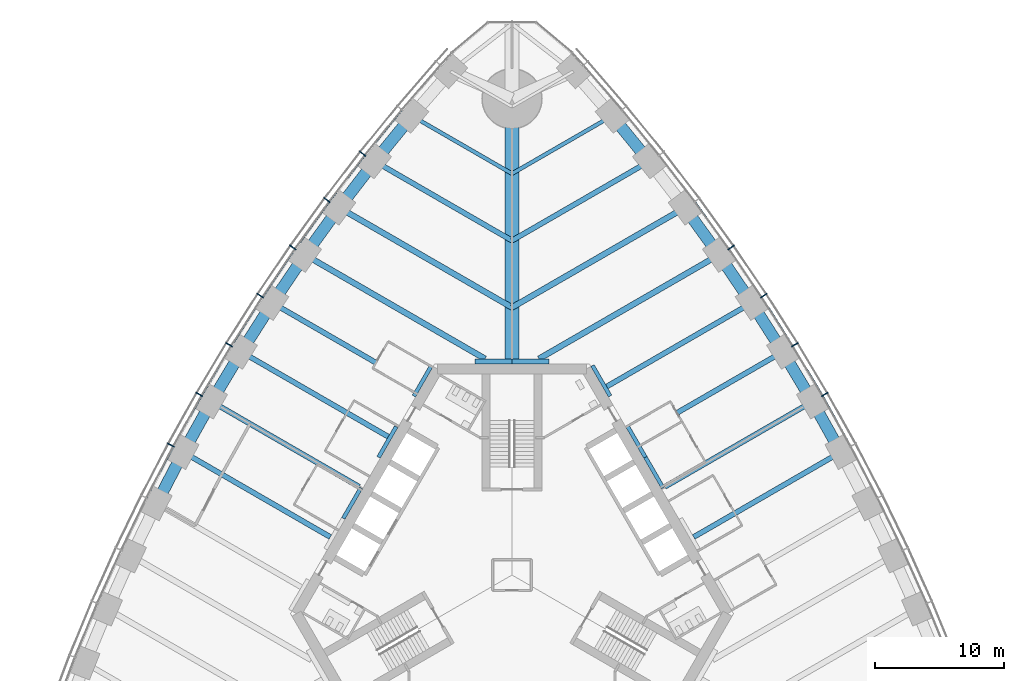
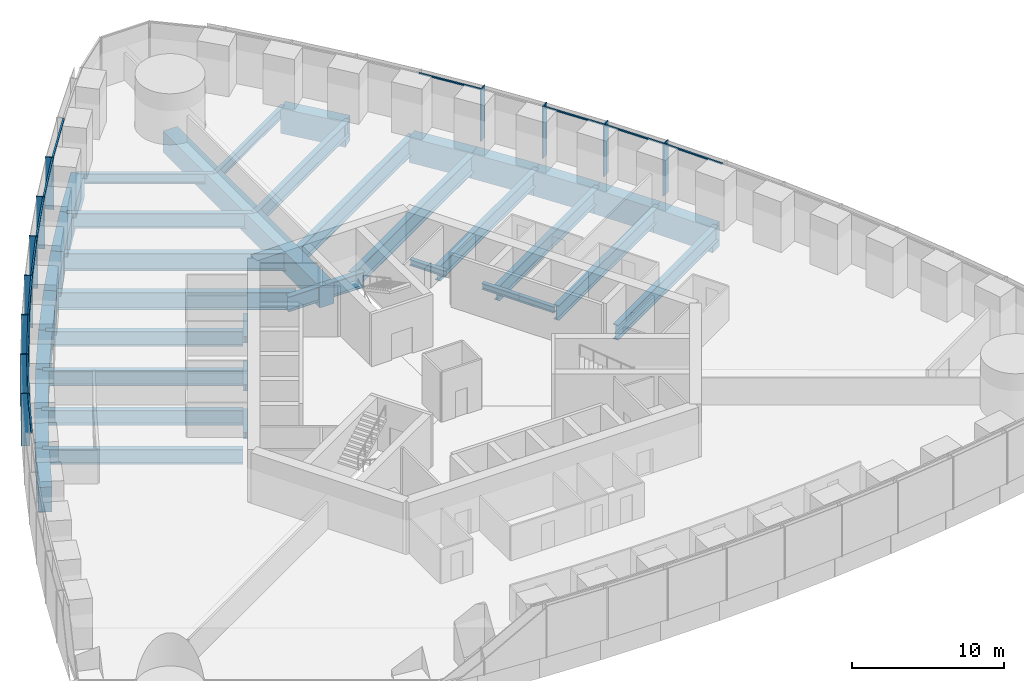
# One storey, part 4 of 18: 39 beams, 23 members, 2 elements without a shape of their own.
"""IFC4 building model written with IfcOpenShell, lengths in metres."""

from ifc_helpers import new_model, si_unit, direction, frame, origin, origin_2d, place, context, subcontext, project, spatial, rectangle, i_section, extrude, material, material_profile, profile_set, type_object, element, aggregate, save


model = new_model("IFC4")

# Units and contexts
model_context = context("Model", 3, precision=1e-05, world=origin(), true_north=direction((0.0, 1.0)))
body_context = subcontext(model_context, "Body", "Model", "MODEL_VIEW")
ifc_project = project(units=[si_unit("LENGTHUNIT", "METRE"), si_unit("AREAUNIT", "SQUARE_METRE"), si_unit("VOLUMEUNIT", "CUBIC_METRE"), si_unit("PLANEANGLEUNIT", "RADIAN"), si_unit("MASSUNIT", "GRAM", prefix="KILO")], contexts=[model_context])

# Site, building, storey
site_placement = place(None, origin())
site = spatial("IfcSite", under=ifc_project, at=site_placement, CompositionType="ELEMENT")
building_placement = place(site_placement, origin())
building = spatial("IfcBuilding", under=site, at=building_placement, Name="Trefoil Bronze Tower", CompositionType="ELEMENT")
storey_placement = place(building_placement, frame((0.0, 0.0, 71.10009765625)))
storey = spatial("IfcBuildingStorey", under=building, at=storey_placement, Name="L16", CompositionType="ELEMENT", Elevation=71.10009765625)

# Curtain wall, members
ifc_material_1 = material(Name="Tinted solar-control glass", Category="glass")
curtain_wall_type = type_object("IfcCurtainWallType", Name="Bronze office curtain wall", PredefinedType="USERDEFINED", material=ifc_material_1)
curtain_wall_1_placement = place(storey_placement, origin())
curtain_wall_1 = element("IfcCurtainWall", 1, at=curtain_wall_1_placement, inside=storey, type_object=curtain_wall_type, Name="CW-A L16 F2", ObjectType="CURTAIN WALL", PredefinedType="USERDEFINED")
ifc_material_2 = material(Name="Bronze-finish aluminium", Category="aluminium")
ifc_material_profile_1 = material_profile(ifc_material_2, rectangle(XDim=0.60009765625, YDim=0.080078125, at=origin_2d()), Name="CW-A mullion")
ifc_profile_set_1 = profile_set([ifc_material_profile_1], Name="Bronze-finish aluminium")
member_type_1 = type_object("IfcMemberType", Name="Bronze office curtain wall mullion", PredefinedType="MULLION", material=ifc_profile_set_1)
member_1_placement = place(storey_placement, frame((24.291015625, 14.0244140625, 0.0), z_axis=(0.0, 0.0, 1.0), x_axis=(-0.866025403784, -0.5, 0.0)))
member_1 = element("IfcMember", 2, at=member_1_placement, type_object=member_type_1, Name="CW-A L16 F2 mullion 9", PredefinedType="MULLION", context=body_context, shape_type="SweptSolid", body=[
    extrude(rectangle(XDim=0.60009765625, YDim=0.080078125, at=origin_2d()), origin(), (0.0, 0.0, 1.0), 4.179931640625),
])
member_2_placement = place(storey_placement, frame((21.97998046875, 17.896240234375, 0.0), z_axis=(0.0, 0.0, 1.0), x_axis=(-0.851149783004, -0.524922896141, 0.0)))
member_2 = element("IfcMember", 3, at=member_2_placement, type_object=member_type_1, Name="CW-A L16 F2 mullion 10", PredefinedType="MULLION", context=body_context, shape_type="SweptSolid", body=[
    extrude(rectangle(XDim=0.60009765625, YDim=0.080078125, at=origin_2d()), origin(), (0.0, 0.0, 1.0), 4.179931640625),
])
member_3_placement = place(storey_placement, frame((19.555419921875, 21.70263671875, 0.0), z_axis=(0.0, 0.0, 1.0), x_axis=(-0.835543651684, -0.549424067665, 0.0)))
member_3 = element("IfcMember", 4, at=member_3_placement, type_object=member_type_1, Name="CW-A L16 F2 mullion 11", PredefinedType="MULLION", context=body_context, shape_type="SweptSolid", body=[
    extrude(rectangle(XDim=0.60009765625, YDim=0.080078125, at=origin_2d()), origin(), (0.0, 0.0, 1.0), 4.179931640625),
])
member_4_placement = place(storey_placement, frame((17.01708984375, 25.443359375, 0.0), z_axis=(0.0, 0.0, 1.0), x_axis=(-0.819204207116, -0.573501932903, 0.0)))
member_4 = element("IfcMember", 5, at=member_4_placement, type_object=member_type_1, Name="CW-A L16 F2 mullion 12", PredefinedType="MULLION", context=body_context, shape_type="SweptSolid", body=[
    extrude(rectangle(XDim=0.60009765625, YDim=0.080078125, at=origin_2d()), origin(), (0.0, 0.0, 1.0), 4.179931640625),
])

curtain_wall_2_placement = place(storey_placement, origin())
curtain_wall_2 = element("IfcCurtainWall", 6, at=curtain_wall_2_placement, inside=storey, type_object=curtain_wall_type, Name="CW-A L16 F3", ObjectType="CURTAIN WALL", PredefinedType="USERDEFINED")
member_5_placement = place(storey_placement, frame((-11.595458984375, 32.7255859375, 0.0), z_axis=(0.0, 0.0, 1.0), x_axis=(0.784304615744, -0.620375910011, 0.0)))
member_5 = element("IfcMember", 7, at=member_5_placement, type_object=member_type_1, Name="CW-A L16 F3 mullion 4", PredefinedType="MULLION", context=body_context, shape_type="SweptSolid", body=[
    extrude(rectangle(XDim=0.60009765625, YDim=0.080078125, at=origin_2d()), origin(), (0.0, 0.0, 1.0), 4.179931640625),
])
member_6_placement = place(storey_placement, frame((-14.364013671875, 29.117919921875, 0.0), z_axis=(0.0, 0.0, 1.0), x_axis=(0.802126748469, -0.59715381552, 0.0)))
member_6 = element("IfcMember", 8, at=member_6_placement, type_object=member_type_1, Name="CW-A L16 F3 mullion 5", PredefinedType="MULLION", context=body_context, shape_type="SweptSolid", body=[
    extrude(rectangle(XDim=0.60009765625, YDim=0.080078125, at=origin_2d()), origin(), (0.0, 0.0, 1.0), 4.179931640625),
])
member_7_placement = place(storey_placement, frame((-17.01708984375, 25.443359375, 0.0), z_axis=(0.0, 0.0, 1.0), x_axis=(0.819204207116, -0.573501932903, 0.0)))
member_7 = element("IfcMember", 9, at=member_7_placement, type_object=member_type_1, Name="CW-A L16 F3 mullion 6", PredefinedType="MULLION", context=body_context, shape_type="SweptSolid", body=[
    extrude(rectangle(XDim=0.60009765625, YDim=0.080078125, at=origin_2d()), origin(), (0.0, 0.0, 1.0), 4.179931640625),
])
member_8_placement = place(storey_placement, frame((-19.555419921875, 21.70263671875, 0.0), z_axis=(0.0, 0.0, 1.0), x_axis=(0.835543651684, -0.549424067665, 0.0)))
member_8 = element("IfcMember", 10, at=member_8_placement, type_object=member_type_1, Name="CW-A L16 F3 mullion 7", PredefinedType="MULLION", context=body_context, shape_type="SweptSolid", body=[
    extrude(rectangle(XDim=0.60009765625, YDim=0.080078125, at=origin_2d()), origin(), (0.0, 0.0, 1.0), 4.179931640625),
])
member_9_placement = place(storey_placement, frame((-21.97998046875, 17.896240234375, 0.0), z_axis=(0.0, 0.0, 1.0), x_axis=(0.851149783004, -0.524922896141, 0.0)))
member_9 = element("IfcMember", 11, at=member_9_placement, type_object=member_type_1, Name="CW-A L16 F3 mullion 8", PredefinedType="MULLION", context=body_context, shape_type="SweptSolid", body=[
    extrude(rectangle(XDim=0.60009765625, YDim=0.080078125, at=origin_2d()), origin(), (0.0, 0.0, 1.0), 4.179931640625),
])
member_10_placement = place(storey_placement, frame((-24.291015625, 14.0244140625, 0.0), z_axis=(0.0, 0.0, 1.0), x_axis=(0.866025403784, -0.5, 0.0)))
member_10 = element("IfcMember", 12, at=member_10_placement, type_object=member_type_1, Name="CW-A L16 F3 mullion 9", PredefinedType="MULLION", context=body_context, shape_type="SweptSolid", body=[
    extrude(rectangle(XDim=0.60009765625, YDim=0.080078125, at=origin_2d()), origin(), (0.0, 0.0, 1.0), 4.179931640625),
])
member_11_placement = place(storey_placement, frame((-26.488525390625, 10.0869140625, 0.0), z_axis=(0.0, 0.0, 1.0), x_axis=(0.880171454588, -0.474655886437, 0.0)))
member_11 = element("IfcMember", 13, at=member_11_placement, type_object=member_type_1, Name="CW-A L16 F3 mullion 10", PredefinedType="MULLION", context=body_context, shape_type="SweptSolid", body=[
    extrude(rectangle(XDim=0.60009765625, YDim=0.080078125, at=origin_2d()), origin(), (0.0, 0.0, 1.0), 4.179931640625),
])

# Member
ifc_material_3 = material(Name="Bronze-finish aluminium", Category="aluminium")
ifc_material_profile_2 = material_profile(ifc_material_3, rectangle(XDim=0.1201171875, YDim=0.10009765625, at=origin_2d()), Name="CW-A transom")
ifc_profile_set_2 = profile_set([ifc_material_profile_2], Name="Bronze-finish aluminium")
member_type_2 = type_object("IfcMemberType", Name="Bronze office curtain wall transom", PredefinedType="USERDEFINED", material=ifc_profile_set_2)
member_12_placement = place(storey_placement, frame((26.29248046875, 10.0283203125, 4.1298828125), z_axis=(-0.487400435348, 0.873178570295, 0.0), x_axis=(-0.873178570295, -0.487400435348, 0.0)))
member_12 = element("IfcMember", 14, at=member_12_placement, type_object=member_type_2, Name="CW-A L16 F2 transom 8", ObjectType="TRANSOM", PredefinedType="USERDEFINED", context=body_context, shape_type="SweptSolid", body=[
    extrude(rectangle(XDim=0.1201171875, YDim=0.10009765625, at=origin_2d()), origin(), (0.0, 0.0, 1.0), 4.42041015625),
])

member_13_placement = place(storey_placement, frame((24.096435546875, 13.9599609375, 4.1298828125), z_axis=(-0.512536988879, 0.858665147209, 0.0), x_axis=(-0.858665147209, -0.512536988879, 0.0)))
member_13 = element("IfcMember", 15, at=member_13_placement, type_object=member_type_2, Name="CW-A L16 F2 transom 9", ObjectType="TRANSOM", PredefinedType="USERDEFINED", context=body_context, shape_type="SweptSolid", body=[
    extrude(rectangle(XDim=0.1201171875, YDim=0.10009765625, at=origin_2d()), origin(), (0.0, 0.0, 1.0), 4.42041015625),
])

member_14_placement = place(storey_placement, frame((21.787353515625, 17.826171875, 4.1298828125), z_axis=(-0.537196807268, 0.843456928515, 0.0), x_axis=(-0.843456928515, -0.537196807268, 0.0)))
member_14 = element("IfcMember", 16, at=member_14_placement, type_object=member_type_2, Name="CW-A L16 F2 transom 10", ObjectType="TRANSOM", PredefinedType="USERDEFINED", context=body_context, shape_type="SweptSolid", body=[
    extrude(rectangle(XDim=0.1201171875, YDim=0.10009765625, at=origin_2d()), origin(), (0.0, 0.0, 1.0), 4.42431640625),
])

member_15_placement = place(storey_placement, frame((16.828857421875, 25.3623046875, 4.1298828125), z_axis=(-0.585378207433, 0.81076035563, 0.0), x_axis=(-0.81076035563, -0.585378207433, 0.0)))
member_15 = element("IfcMember", 17, at=member_15_placement, type_object=member_type_2, Name="CW-A L16 F2 transom 12", ObjectType="TRANSOM", PredefinedType="USERDEFINED", context=body_context, shape_type="SweptSolid", body=[
    extrude(rectangle(XDim=0.1201171875, YDim=0.10009765625, at=origin_2d()), origin(), (0.0, 0.0, 1.0), 4.443359375),
])

aggregate(curtain_wall_1, [member_1, member_2, member_3, member_4, member_12, member_13, member_14, member_15])

member_16_placement = place(storey_placement, frame((-8.582763671875, 36.10498046875, 4.1298828125), z_axis=(-0.631835540201, -0.775102477185, 0.0), x_axis=(0.775102477185, -0.631835540201, 0.0)))
member_16 = element("IfcMember", 18, at=member_16_placement, type_object=member_type_2, Name="CW-A L16 F3 transom 3", ObjectType="TRANSOM", PredefinedType="USERDEFINED", context=body_context, shape_type="SweptSolid", body=[
    extrude(rectangle(XDim=0.1201171875, YDim=0.10009765625, at=origin_2d()), origin(), (0.0, 0.0, 1.0), 4.478271484375),
])

member_17_placement = place(storey_placement, frame((-11.4638671875, 32.568603515625, 4.1298828125), z_axis=(-0.608829203216, -0.793301330713, 0.0), x_axis=(0.793301330713, -0.608829203216, 0.0)))
member_17 = element("IfcMember", 19, at=member_17_placement, type_object=member_type_2, Name="CW-A L16 F3 transom 4", ObjectType="TRANSOM", PredefinedType="USERDEFINED", context=body_context, shape_type="SweptSolid", body=[
    extrude(rectangle(XDim=0.1201171875, YDim=0.10009765625, at=origin_2d()), origin(), (0.0, 0.0, 1.0), 4.458740234375),
])

member_18_placement = place(storey_placement, frame((-14.227783203125, 28.96484375, 4.1298828125), z_axis=(-0.585378207433, -0.81076035563, 0.0), x_axis=(0.81076035563, -0.585378207433, 0.0)))
member_18 = element("IfcMember", 20, at=member_18_placement, type_object=member_type_2, Name="CW-A L16 F3 transom 5", ObjectType="TRANSOM", PredefinedType="USERDEFINED", context=body_context, shape_type="SweptSolid", body=[
    extrude(rectangle(XDim=0.1201171875, YDim=0.10009765625, at=origin_2d()), origin(), (0.0, 0.0, 1.0), 4.443359375),
])

member_19_placement = place(storey_placement, frame((-16.87646484375, 25.29443359375, 4.1298828125), z_axis=(-0.561508153923, -0.827471203775, 0.0), x_axis=(0.827471203775, -0.561508153923, 0.0)))
member_19 = element("IfcMember", 21, at=member_19_placement, type_object=member_type_2, Name="CW-A L16 F3 transom 6", ObjectType="TRANSOM", PredefinedType="USERDEFINED", context=body_context, shape_type="SweptSolid", body=[
    extrude(rectangle(XDim=0.1201171875, YDim=0.10009765625, at=origin_2d()), origin(), (0.0, 0.0, 1.0), 4.431884765625),
])

member_20_placement = place(storey_placement, frame((-19.41064453125, 21.557861328125, 4.1298828125), z_axis=(-0.537196807268, -0.843456928515, 0.0), x_axis=(0.843456928515, -0.537196807268, 0.0)))
member_20 = element("IfcMember", 22, at=member_20_placement, type_object=member_type_2, Name="CW-A L16 F3 transom 7", ObjectType="TRANSOM", PredefinedType="USERDEFINED", context=body_context, shape_type="SweptSolid", body=[
    extrude(rectangle(XDim=0.1201171875, YDim=0.10009765625, at=origin_2d()), origin(), (0.0, 0.0, 1.0), 4.42431640625),
])

member_21_placement = place(storey_placement, frame((-21.830810546875, 17.755615234375, 4.1298828125), z_axis=(-0.512536988879, -0.858665147209, 0.0), x_axis=(0.858665147209, -0.512536988879, 0.0)))
member_21 = element("IfcMember", 23, at=member_21_placement, type_object=member_type_2, Name="CW-A L16 F3 transom 8", ObjectType="TRANSOM", PredefinedType="USERDEFINED", context=body_context, shape_type="SweptSolid", body=[
    extrude(rectangle(XDim=0.1201171875, YDim=0.10009765625, at=origin_2d()), origin(), (0.0, 0.0, 1.0), 4.42041015625),
])

member_22_placement = place(storey_placement, frame((-24.137939453125, 13.88818359375, 4.1298828125), z_axis=(-0.487400435348, -0.873178570295, 0.0), x_axis=(0.873178570295, -0.487400435348, 0.0)))
member_22 = element("IfcMember", 24, at=member_22_placement, type_object=member_type_2, Name="CW-A L16 F3 transom 9", ObjectType="TRANSOM", PredefinedType="USERDEFINED", context=body_context, shape_type="SweptSolid", body=[
    extrude(rectangle(XDim=0.1201171875, YDim=0.10009765625, at=origin_2d()), origin(), (0.0, 0.0, 1.0), 4.42041015625),
])

member_23_placement = place(storey_placement, frame((-26.331787109375, 9.955322265625, 4.1298828125), z_axis=(-0.461809621225, -0.886979071762, 0.0), x_axis=(0.886979071762, -0.461809621225, 0.0)))
member_23 = element("IfcMember", 25, at=member_23_placement, type_object=member_type_2, Name="CW-A L16 F3 transom 10", ObjectType="TRANSOM", PredefinedType="USERDEFINED", context=body_context, shape_type="SweptSolid", body=[
    extrude(rectangle(XDim=0.1201171875, YDim=0.10009765625, at=origin_2d()), origin(), (0.0, 0.0, 1.0), 4.42431640625),
])

aggregate(curtain_wall_2, [member_5, member_6, member_7, member_8, member_9, member_10, member_11, member_16, member_17, member_18, member_19, member_20, member_21, member_22, member_23])

# Beams
ifc_material_4 = material(Name="Steel C355", Category="steel")
ifc_material_profile_3 = material_profile(ifc_material_4, i_section(OverallWidth=0.300048828125, OverallDepth=0.5, WebThickness=0.014404296875, FlangeThickness=0.028076171875, FilletRadius=0.027099609375, at=origin_2d()), Name="HEB 500")
ifc_profile_set_3 = profile_set([ifc_material_profile_3], Name="Steel C355")
beam_type_1 = type_object("IfcBeamType", Name="Core seat beam HEB 500", PredefinedType="BEAM", material=ifc_profile_set_3)
for number, where, z_axis, x_axis, name in (
    (26, (11.734619140625, 6.77490234375, -0.4501953125), (-0.499969057507, 0.866043267704, 0.0), (-0.866043267704, -0.499969057507, 0.0), "Core seat beam F2/+0 L16"),
    (27, (10.363525390625, 9.14990234375, -0.4501953125), (-0.500035825175, 0.866004719122, 0.0), (-0.866004719122, -0.500035825175, 0.0), "Core seat beam F2/+1 L16"),
    (28, (7.62109375, 13.89990234375, -0.4501953125), (-0.500035825175, 0.866004719122, 0.0), (-0.866004719122, -0.500035825175, 0.0), "Core seat beam F2/+2 L16"),
    (29, (-6.249755859375, 16.27490234375, -0.4501953125), (-0.500035825175, -0.866004719122, 0.0), (0.866004719122, -0.500035825175, 0.0), "Core seat beam F3/-2 L16"),
    (30, (-8.9921875, 11.52490234375, -0.4501953125), (-0.500035825175, -0.866004719122, 0.0), (0.866004719122, -0.500035825175, 0.0), "Core seat beam F3/-1 L16"),
    (31, (-11.734619140625, 6.77490234375, -0.4501953125), (-0.500035825175, -0.866004719122, 0.0), (0.866004719122, -0.500035825175, 0.0), "Core seat beam F3/+0 L16"),
):
    element("IfcBeam", number, at=place(storey_placement, frame(where, z_axis=z_axis, x_axis=x_axis)), inside=storey, type_object=beam_type_1, Name=name, PredefinedType="BEAM", context=body_context, shape_type="SweptSolid", body=[
        extrude(i_section(OverallWidth=0.300048828125, OverallDepth=0.5, WebThickness=0.014404296875, FlangeThickness=0.028076171875, FilletRadius=0.027099609375, at=origin_2d()), origin(), (0.0, 0.0, 1.0), 2.742431640625),
    ])
ifc_material_5 = material(Name="Steel C355", Category="steel")
ifc_material_profile_4 = material_profile(ifc_material_5, i_section(OverallWidth=0.39990234375, OverallDepth=1.199951171875, WebThickness=0.02001953125, FlangeThickness=0.0400390625, FilletRadius=0.010009765625, at=origin_2d()), Name="WPG 1200")
ifc_profile_set_4 = profile_set([ifc_material_profile_4], Name="Steel C355")
beam_type_2 = type_object("IfcBeamType", Name="Core seat beam WPG 1200", PredefinedType="BEAM", material=ifc_profile_set_4)
for number, where, z_axis, x_axis, name in (
    (32, (2.88671875, 16.60009765625, -0.800048828125), (-1.0, 0.0, 0.0), (0.0, -1.0, 0.0), "Core seat beam F2/+3 L16"),
    (33, (0.0, 16.60009765625, -0.800048828125), (-1.0, 0.0, 0.0), (0.0, -1.0, 0.0), "Core seat beam F3/-3 L16"),
):
    element("IfcBeam", number, at=place(storey_placement, frame(where, z_axis=z_axis, x_axis=x_axis)), inside=storey, type_object=beam_type_2, Name=name, PredefinedType="BEAM", context=body_context, shape_type="SweptSolid", body=[
        extrude(i_section(OverallWidth=0.39990234375, OverallDepth=1.199951171875, WebThickness=0.02001953125, FlangeThickness=0.0400390625, FilletRadius=0.010009765625, at=origin_2d()), origin(), (0.0, 0.0, 1.0), 2.88671875),
    ])
ifc_material_6 = material(Name="Concrete B80", Category="concrete")
ifc_material_profile_5 = material_profile(ifc_material_6, rectangle(XDim=1.10009765625, YDim=1.699951171875, at=origin_2d()), Name="RC 1100x1700")
ifc_profile_set_5 = profile_set([ifc_material_profile_5], Name="Concrete B80")
beam_type_3 = type_object("IfcBeamType", Name="Corner girder RC 1100x1700", PredefinedType="BEAM", material=ifc_profile_set_5)
beam_1_placement = place(storey_placement, frame((0.0, 16.39990234375, -1.050048828125), z_axis=(0.0, 1.0, 0.0), x_axis=(-1.0, 0.0, 0.0)))
element("IfcBeam", 34, at=beam_1_placement, inside=storey, type_object=beam_type_3, Name="Corner girder K2 L16", PredefinedType="BEAM", context=body_context, shape_type="SweptSolid", body=[
    extrude(rectangle(XDim=1.10009765625, YDim=1.699951171875, at=origin_2d()), origin(), (0.0, 0.0, 1.0), 20.60009765625),
])
ifc_material_7 = material(Name="Steel C355", Category="steel")
ifc_material_profile_6 = material_profile(ifc_material_7, i_section(OverallWidth=0.300048828125, OverallDepth=0.800048828125, WebThickness=0.017578125, FlangeThickness=0.032958984375, FilletRadius=0.030029296875, at=origin_2d()), Name="HEB 800")
ifc_profile_set_6 = profile_set([ifc_material_profile_6], Name="Steel C355")
beam_type_4 = type_object("IfcBeamType", Name="Floor beam HEB 800", PredefinedType="BEAM", material=ifc_profile_set_6)
for number, where, z_axis, x_axis, name in (
    (35, (7.7763671875, 35.666748046875, -0.60009765625), (-0.866022587327, -0.500004878216, 0.0), (0.500004878216, -0.866022587327, 0.0), "Floor beam F2/+6 L16"),
    (36, (-7.7763671875, 35.666748046875, -0.60009765625), (0.866022587327, -0.500004878216, 0.0), (0.500004878216, 0.866022587327, 0.0), "Floor beam F3/-6 L16"),
):
    element("IfcBeam", number, at=place(storey_placement, frame(where, z_axis=z_axis, x_axis=x_axis)), inside=storey, type_object=beam_type_4, Name=name, PredefinedType="BEAM", context=body_context, shape_type="SweptSolid", body=[
        extrude(i_section(OverallWidth=0.300048828125, OverallDepth=0.800048828125, WebThickness=0.017578125, FlangeThickness=0.032958984375, FilletRadius=0.030029296875, at=origin_2d()), origin(), (0.0, 0.0, 1.0), 8.9794921875),
    ])
ifc_material_8 = material(Name="Steel C355", Category="steel")
ifc_material_profile_7 = material_profile(ifc_material_8, i_section(OverallWidth=0.39990234375, OverallDepth=1.199951171875, WebThickness=0.02001953125, FlangeThickness=0.0400390625, FilletRadius=0.010009765625, at=origin_2d()), Name="WPG 1200")
ifc_profile_set_7 = profile_set([ifc_material_profile_7], Name="Steel C355")
beam_type_5 = type_object("IfcBeamType", Name="Floor beam WPG 1200", PredefinedType="BEAM", material=ifc_profile_set_7)
beam_2_placement = place(storey_placement, frame((25.531494140625, 9.54443359375, -0.800048828125), z_axis=(-0.866027071639, -0.499997111179, 0.0), x_axis=(0.499997111179, -0.866027071639, 0.0)))
element("IfcBeam", 37, at=beam_2_placement, inside=storey, type_object=beam_type_5, Name="Floor beam F2/-1 L16", PredefinedType="BEAM", context=body_context, shape_type="SweptSolid", body=[
    extrude(i_section(OverallWidth=0.39990234375, OverallDepth=1.199951171875, WebThickness=0.02001953125, FlangeThickness=0.0400390625, FilletRadius=0.010009765625, at=origin_2d()), origin(), (0.0, 0.0, 1.0), 13.18310546875),
])
beam_3_placement = place(storey_placement, frame((23.33837890625, 13.474365234375, -0.800048828125), z_axis=(-0.866031233401, -0.499989902672, 0.0), x_axis=(0.499989902672, -0.866031233401, 0.0)))
element("IfcBeam", 38, at=beam_3_placement, inside=storey, type_object=beam_type_5, Name="Floor beam F2/+0 L16", PredefinedType="BEAM", context=body_context, shape_type="SweptSolid", body=[
    extrude(i_section(OverallWidth=0.39990234375, OverallDepth=1.199951171875, WebThickness=0.02001953125, FlangeThickness=0.0400390625, FilletRadius=0.010009765625, at=origin_2d()), origin(), (0.0, 0.0, 1.0), 13.248779296875),
])
beam_4_placement = place(storey_placement, frame((21.031494140625, 17.338623046875, -0.800048828125), z_axis=(-0.866027071639, -0.499997111179, 0.0), x_axis=(0.499997111179, -0.866027071639, 0.0)))
element("IfcBeam", 39, at=beam_4_placement, inside=storey, type_object=beam_type_5, Name="Floor beam F2/+1 L16", PredefinedType="BEAM", context=body_context, shape_type="SweptSolid", body=[
    extrude(i_section(OverallWidth=0.39990234375, OverallDepth=1.199951171875, WebThickness=0.02001953125, FlangeThickness=0.0400390625, FilletRadius=0.010009765625, at=origin_2d()), origin(), (0.0, 0.0, 1.0), 13.18310546875),
])
beam_5_placement = place(storey_placement, frame((18.61083984375, 21.13720703125, -0.800048828125), z_axis=(-0.866030615021, -0.499990973765, 0.0), x_axis=(0.499990973765, -0.866030615021, 0.0)))
element("IfcBeam", 40, at=beam_5_placement, inside=storey, type_object=beam_type_5, Name="Floor beam F2/+2 L16", PredefinedType="BEAM", context=body_context, shape_type="SweptSolid", body=[
    extrude(i_section(OverallWidth=0.39990234375, OverallDepth=1.199951171875, WebThickness=0.02001953125, FlangeThickness=0.0400390625, FilletRadius=0.010009765625, at=origin_2d()), origin(), (0.0, 0.0, 1.0), 12.986083984375),
])
for number, where, z_axis, x_axis, name in (
    (41, (10.659912109375, 32.13525390625, -0.800048828125), (-0.866024070878, -0.500002308654, 0.0), (0.500002308654, -0.866024070878, 0.0), "Floor beam F2/+5 L16"),
    (42, (-10.659912109375, 32.13525390625, -0.800048828125), (0.866024070878, -0.500002308654, 0.0), (0.500002308654, 0.866024070878, 0.0), "Floor beam F3/-5 L16"),
):
    element("IfcBeam", number, at=place(storey_placement, frame(where, z_axis=z_axis, x_axis=x_axis)), inside=storey, type_object=beam_type_5, Name=name, PredefinedType="BEAM", context=body_context, shape_type="SweptSolid", body=[
        extrude(i_section(OverallWidth=0.39990234375, OverallDepth=1.199951171875, WebThickness=0.02001953125, FlangeThickness=0.0400390625, FilletRadius=0.010009765625, at=origin_2d()), origin(), (0.0, 0.0, 1.0), 12.30908203125),
    ])
beam_6_placement = place(storey_placement, frame((-18.61083984375, 21.13720703125, -0.800048828125), z_axis=(0.866030615021, -0.499990973765, 0.0), x_axis=(0.499990973765, 0.866030615021, 0.0)))
element("IfcBeam", 43, at=beam_6_placement, inside=storey, type_object=beam_type_5, Name="Floor beam F3/-2 L16", PredefinedType="BEAM", context=body_context, shape_type="SweptSolid", body=[
    extrude(i_section(OverallWidth=0.39990234375, OverallDepth=1.199951171875, WebThickness=0.02001953125, FlangeThickness=0.0400390625, FilletRadius=0.010009765625, at=origin_2d()), origin(), (0.0, 0.0, 1.0), 12.986083984375),
])
beam_7_placement = place(storey_placement, frame((-21.031494140625, 17.338623046875, -0.800048828125), z_axis=(0.866027071639, -0.499997111179, 0.0), x_axis=(0.499997111179, 0.866027071639, 0.0)))
element("IfcBeam", 44, at=beam_7_placement, inside=storey, type_object=beam_type_5, Name="Floor beam F3/-1 L16", PredefinedType="BEAM", context=body_context, shape_type="SweptSolid", body=[
    extrude(i_section(OverallWidth=0.39990234375, OverallDepth=1.199951171875, WebThickness=0.02001953125, FlangeThickness=0.0400390625, FilletRadius=0.010009765625, at=origin_2d()), origin(), (0.0, 0.0, 1.0), 13.18310546875),
])
beam_8_placement = place(storey_placement, frame((-23.33837890625, 13.474365234375, -0.800048828125), z_axis=(0.866031233401, -0.499989902672, 0.0), x_axis=(0.499989902672, 0.866031233401, 0.0)))
element("IfcBeam", 45, at=beam_8_placement, inside=storey, type_object=beam_type_5, Name="Floor beam F3/+0 L16", PredefinedType="BEAM", context=body_context, shape_type="SweptSolid", body=[
    extrude(i_section(OverallWidth=0.39990234375, OverallDepth=1.199951171875, WebThickness=0.02001953125, FlangeThickness=0.0400390625, FilletRadius=0.010009765625, at=origin_2d()), origin(), (0.0, 0.0, 1.0), 13.248779296875),
])
beam_9_placement = place(storey_placement, frame((-25.531494140625, 9.54443359375, -0.800048828125), z_axis=(0.866027071639, -0.499997111179, 0.0), x_axis=(0.499997111179, 0.866027071639, 0.0)))
element("IfcBeam", 46, at=beam_9_placement, inside=storey, type_object=beam_type_5, Name="Floor beam F3/+1 L16", PredefinedType="BEAM", context=body_context, shape_type="SweptSolid", body=[
    extrude(i_section(OverallWidth=0.39990234375, OverallDepth=1.199951171875, WebThickness=0.02001953125, FlangeThickness=0.0400390625, FilletRadius=0.010009765625, at=origin_2d()), origin(), (0.0, 0.0, 1.0), 13.18310546875),
])
ifc_material_9 = material(Name="Steel C355", Category="steel")
ifc_material_profile_8 = material_profile(ifc_material_9, i_section(OverallWidth=0.449951171875, OverallDepth=1.39990234375, WebThickness=0.02294921875, FlangeThickness=0.044921875, FilletRadius=0.011962890625, at=origin_2d()), Name="WPG 1400")
ifc_profile_set_8 = profile_set([ifc_material_profile_8], Name="Steel C355")
beam_type_6 = type_object("IfcBeamType", Name="Floor beam WPG 1400", PredefinedType="BEAM", material=ifc_profile_set_8)
beam_10_placement = place(storey_placement, frame((16.075927734375, 24.869873046875, -0.900146484375), z_axis=(-0.866028401131, -0.499994808408, 0.0), x_axis=(0.499994808408, -0.866028401131, 0.0)))
element("IfcBeam", 47, at=beam_10_placement, inside=storey, type_object=beam_type_6, Name="Floor beam F2/+3 L16", PredefinedType="BEAM", context=body_context, shape_type="SweptSolid", body=[
    extrude(i_section(OverallWidth=0.449951171875, OverallDepth=1.39990234375, WebThickness=0.02294921875, FlangeThickness=0.044921875, FilletRadius=0.011962890625, at=origin_2d()), origin(), (0.0, 0.0, 1.0), 16.139892578125),
])
for number, where, z_axis, x_axis, name in (
    (48, (13.42578125, 28.5361328125, -0.900146484375), (-0.866022989816, -0.500004181093, 0.0), (0.500004181093, -0.866022989816, 0.0), "Floor beam F2/+4 L16"),
    (49, (-13.42578125, 28.5361328125, -0.900146484375), (0.866022989816, -0.500004181093, 0.0), (0.500004181093, 0.866022989816, 0.0), "Floor beam F3/-4 L16"),
):
    element("IfcBeam", number, at=place(storey_placement, frame(where, z_axis=z_axis, x_axis=x_axis)), inside=storey, type_object=beam_type_6, Name=name, PredefinedType="BEAM", context=body_context, shape_type="SweptSolid", body=[
        extrude(i_section(OverallWidth=0.449951171875, OverallDepth=1.39990234375, WebThickness=0.02294921875, FlangeThickness=0.044921875, FilletRadius=0.011962890625, at=origin_2d()), origin(), (0.0, 0.0, 1.0), 15.502685546875),
    ])
beam_11_placement = place(storey_placement, frame((-16.075927734375, 24.869873046875, -0.900146484375), z_axis=(0.866028401131, -0.499994808408, 0.0), x_axis=(0.499994808408, 0.866028401131, 0.0)))
element("IfcBeam", 50, at=beam_11_placement, inside=storey, type_object=beam_type_6, Name="Floor beam F3/-3 L16", PredefinedType="BEAM", context=body_context, shape_type="SweptSolid", body=[
    extrude(i_section(OverallWidth=0.449951171875, OverallDepth=1.39990234375, WebThickness=0.02294921875, FlangeThickness=0.044921875, FilletRadius=0.011962890625, at=origin_2d()), origin(), (0.0, 0.0, 1.0), 16.139892578125),
])
ifc_material_10 = material(Name="Concrete B80", Category="concrete")
ifc_material_profile_9 = material_profile(ifc_material_10, rectangle(XDim=0.89990234375, YDim=2.0, at=origin_2d()), Name="RC 900x2000")
ifc_profile_set_9 = profile_set([ifc_material_profile_9], Name="Concrete B80")
beam_type_7 = type_object("IfcBeamType", Name="Spandrel beam RC 900x2000", PredefinedType="SPANDREL", material=ifc_profile_set_9)
for number, where, z_axis, x_axis, name in (
    (51, (25.531494140625, 9.54443359375, -1.2001953125), (-0.487309404804, 0.873229376504, 0.0), (-0.873229376504, -0.487309404804, 0.0), "Spandrel F2.8 L16"),
    (52, (23.33837890625, 13.474365234375, -1.2001953125), (-0.512587831591, 0.858634797166, 0.0), (-0.858634797166, -0.512587831591, 0.0), "Spandrel F2.9 L16"),
):
    element("IfcBeam", number, at=place(storey_placement, frame(where, z_axis=z_axis, x_axis=x_axis)), inside=storey, type_object=beam_type_7, Name=name, PredefinedType="SPANDREL", context=body_context, shape_type="SweptSolid", body=[
        extrude(rectangle(XDim=0.89990234375, YDim=2.0, at=origin_2d()), origin(), (0.0, 0.0, 1.0), 4.50048828125),
    ])
beam_12_placement = place(storey_placement, frame((21.031494140625, 17.338623046875, -1.2001953125), z_axis=(-0.537408473305, 0.843322081307, 0.0), x_axis=(-0.843322081307, -0.537408473305, 0.0)))
element("IfcBeam", 53, at=beam_12_placement, inside=storey, type_object=beam_type_7, Name="Spandrel F2.10 L16", PredefinedType="SPANDREL", context=body_context, shape_type="SweptSolid", body=[
    extrude(rectangle(XDim=0.89990234375, YDim=2.0, at=origin_2d()), origin(), (0.0, 0.0, 1.0), 4.50439453125),
])
beam_13_placement = place(storey_placement, frame((18.61083984375, 21.13720703125, -1.2001953125), z_axis=(-0.561809680291, 0.827266512758, 0.0), x_axis=(-0.827266512758, -0.561809680291, 0.0)))
element("IfcBeam", 54, at=beam_13_placement, inside=storey, type_object=beam_type_7, Name="Spandrel F2.11 L16", PredefinedType="SPANDREL", context=body_context, shape_type="SweptSolid", body=[
    extrude(rectangle(XDim=0.89990234375, YDim=2.0, at=origin_2d()), origin(), (0.0, 0.0, 1.0), 4.511962890625),
])
beam_14_placement = place(storey_placement, frame((16.075927734375, 24.869873046875, -1.2001953125), z_axis=(-0.585823508301, 0.810438657223, 0.0), x_axis=(-0.810438657223, -0.585823508301, 0.0)))
element("IfcBeam", 55, at=beam_14_placement, inside=storey, type_object=beam_type_7, Name="Spandrel F2.12 L16", PredefinedType="SPANDREL", context=body_context, shape_type="SweptSolid", body=[
    extrude(rectangle(XDim=0.89990234375, YDim=2.0, at=origin_2d()), origin(), (0.0, 0.0, 1.0), 4.523681640625),
])
for number, where, z_axis, x_axis, name in (
    (56, (10.659912109375, 32.13525390625, -1.2001953125), (-0.632467643363, 0.774586780225, 0.0), (-0.774586780225, -0.632467643363, 0.0), "Spandrel F2.14 L16"),
    (57, (-7.7763671875, 35.666748046875, -1.2001953125), (-0.632467643363, -0.774586780225, 0.0), (0.774586780225, -0.632467643363, 0.0), "Spandrel F3.3 L16"),
):
    element("IfcBeam", number, at=place(storey_placement, frame(where, z_axis=z_axis, x_axis=x_axis)), inside=storey, type_object=beam_type_7, Name=name, PredefinedType="SPANDREL", context=body_context, shape_type="SweptSolid", body=[
        extrude(rectangle(XDim=0.89990234375, YDim=2.0, at=origin_2d()), origin(), (0.0, 0.0, 1.0), 4.55908203125),
    ])
beam_15_placement = place(storey_placement, frame((-10.659912109375, 32.13525390625, -1.2001953125), z_axis=(-0.609338992146, -0.792909826305, 0.0), x_axis=(0.792909826305, -0.609338992146, 0.0)))
element("IfcBeam", 58, at=beam_15_placement, inside=storey, type_object=beam_type_7, Name="Spandrel F3.4 L16", PredefinedType="SPANDREL", context=body_context, shape_type="SweptSolid", body=[
    extrude(rectangle(XDim=0.89990234375, YDim=2.0, at=origin_2d()), origin(), (0.0, 0.0, 1.0), 4.5390625),
])
beam_16_placement = place(storey_placement, frame((-13.42578125, 28.5361328125, -1.2001953125), z_axis=(-0.585823508301, -0.810438657223, 0.0), x_axis=(0.810438657223, -0.585823508301, 0.0)))
element("IfcBeam", 59, at=beam_16_placement, inside=storey, type_object=beam_type_7, Name="Spandrel F3.5 L16", PredefinedType="SPANDREL", context=body_context, shape_type="SweptSolid", body=[
    extrude(rectangle(XDim=0.89990234375, YDim=2.0, at=origin_2d()), origin(), (0.0, 0.0, 1.0), 4.523681640625),
])
beam_17_placement = place(storey_placement, frame((-16.075927734375, 24.869873046875, -1.2001953125), z_axis=(-0.561809680291, -0.827266512758, 0.0), x_axis=(0.827266512758, -0.561809680291, 0.0)))
element("IfcBeam", 60, at=beam_17_placement, inside=storey, type_object=beam_type_7, Name="Spandrel F3.6 L16", PredefinedType="SPANDREL", context=body_context, shape_type="SweptSolid", body=[
    extrude(rectangle(XDim=0.89990234375, YDim=2.0, at=origin_2d()), origin(), (0.0, 0.0, 1.0), 4.511962890625),
])
beam_18_placement = place(storey_placement, frame((-18.61083984375, 21.13720703125, -1.2001953125), z_axis=(-0.537408473305, -0.843322081307, 0.0), x_axis=(0.843322081307, -0.537408473305, 0.0)))
element("IfcBeam", 61, at=beam_18_placement, inside=storey, type_object=beam_type_7, Name="Spandrel F3.7 L16", PredefinedType="SPANDREL", context=body_context, shape_type="SweptSolid", body=[
    extrude(rectangle(XDim=0.89990234375, YDim=2.0, at=origin_2d()), origin(), (0.0, 0.0, 1.0), 4.50439453125),
])
for number, where, z_axis, x_axis, name in (
    (62, (-21.031494140625, 17.338623046875, -1.2001953125), (-0.512587831591, -0.858634797166, 0.0), (0.858634797166, -0.512587831591, 0.0), "Spandrel F3.8 L16"),
    (63, (-23.33837890625, 13.474365234375, -1.2001953125), (-0.487309404804, -0.873229376504, 0.0), (0.873229376504, -0.487309404804, 0.0), "Spandrel F3.9 L16"),
):
    element("IfcBeam", number, at=place(storey_placement, frame(where, z_axis=z_axis, x_axis=x_axis)), inside=storey, type_object=beam_type_7, Name=name, PredefinedType="SPANDREL", context=body_context, shape_type="SweptSolid", body=[
        extrude(rectangle(XDim=0.89990234375, YDim=2.0, at=origin_2d()), origin(), (0.0, 0.0, 1.0), 4.50048828125),
    ])
beam_19_placement = place(storey_placement, frame((-25.531494140625, 9.54443359375, -1.2001953125), z_axis=(-0.461637716615, -0.887068553495, 0.0), x_axis=(0.887068553495, -0.461637716615, 0.0)))
element("IfcBeam", 64, at=beam_19_placement, inside=storey, type_object=beam_type_7, Name="Spandrel F3.10 L16", PredefinedType="SPANDREL", context=body_context, shape_type="SweptSolid", body=[
    extrude(rectangle(XDim=0.89990234375, YDim=2.0, at=origin_2d()), origin(), (0.0, 0.0, 1.0), 4.50439453125),
])

save(model, "model.ifc")
